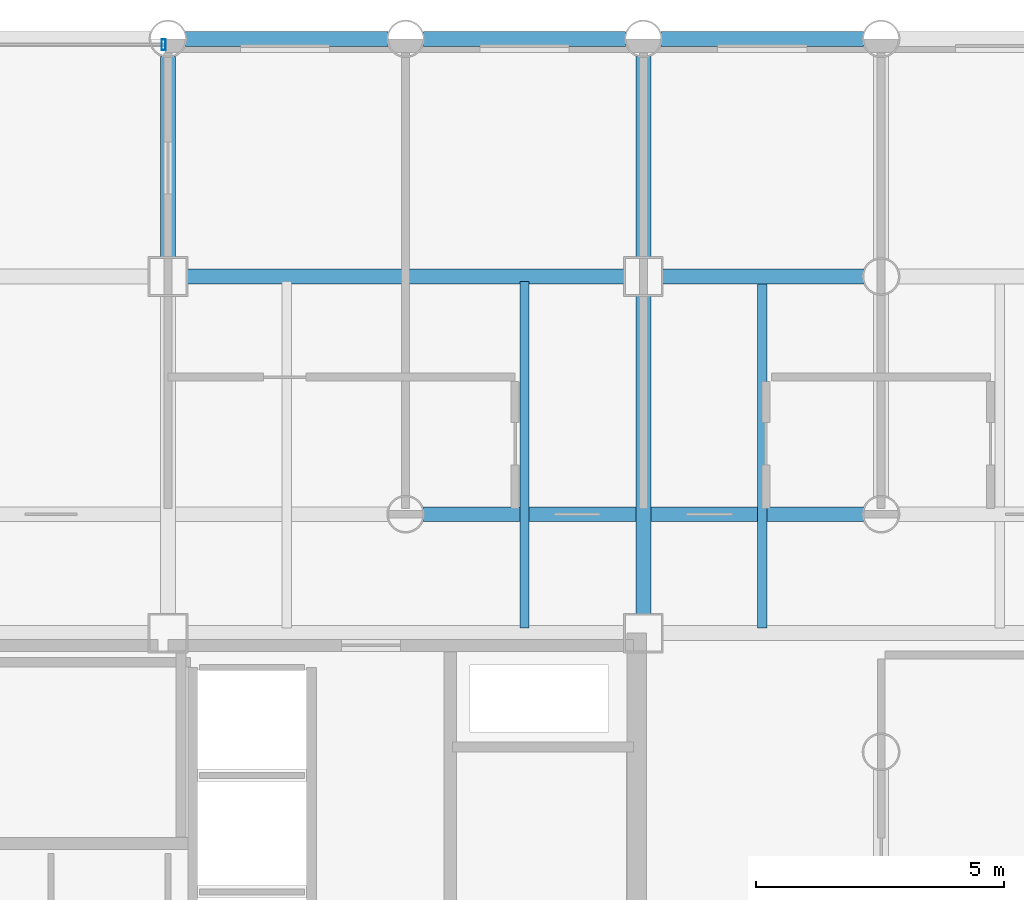
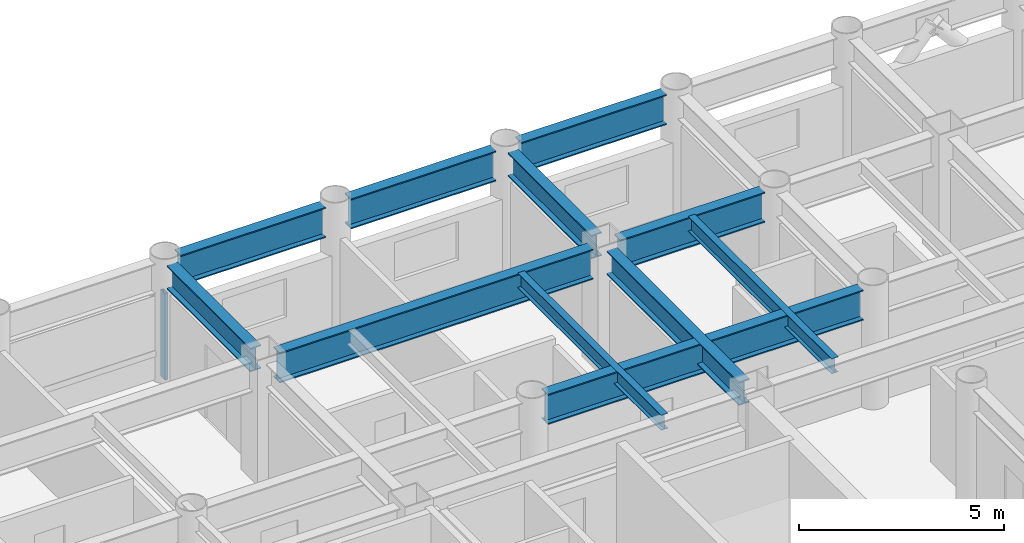
# One storey, part 12 of 20: 11 beams, 1 member, 1 element without a shape of its own.
"""IFC4 building model written with IfcOpenShell, lengths in metres."""

from ifc_helpers import new_model, si_unit, direction, frame, origin, origin_2d, place, context, subcontext, project, spatial, hollow_rectangle, i_section, extrude, material, layer, layer_set, material_profile, profile_set, type_object, element, aggregate, save


model = new_model("IFC4")

# Units and contexts
model_context = context("Model", 3, precision=1e-05, world=origin(), true_north=direction((0.0, 1.0)))
body_context = subcontext(model_context, "Body", "Model", "MODEL_VIEW")
ifc_project = project(units=[si_unit("LENGTHUNIT", "METRE"), si_unit("AREAUNIT", "SQUARE_METRE"), si_unit("VOLUMEUNIT", "CUBIC_METRE"), si_unit("PLANEANGLEUNIT", "RADIAN"), si_unit("MASSUNIT", "GRAM", prefix="KILO")], contexts=[model_context])

# Site, building, storey
site_placement = place(None, origin())
site = spatial("IfcSite", under=ifc_project, at=site_placement, CompositionType="ELEMENT")
building_placement = place(site_placement, origin())
building = spatial("IfcBuilding", under=site, at=building_placement, Name="Kallvorn Hotel Tower", CompositionType="ELEMENT")
storey_placement = place(building_placement, frame((0.0, 0.0, 70.699951171875)))
storey = spatial("IfcBuildingStorey", under=building, at=storey_placement, Name="L16", CompositionType="ELEMENT", Elevation=70.699951171875)

# Beams
ifc_material_1 = material(Name="Structural steel S355JR", Category="steel")
ifc_material_profile_1 = material_profile(ifc_material_1, i_section(OverallWidth=0.300048828125, OverallDepth=0.699951171875, WebThickness=0.01708984375, FlangeThickness=0.031982421875, at=origin_2d()), Name="HE 700 B")
ifc_profile_set_1 = profile_set([ifc_material_profile_1], Name="Structural steel S355JR")
beam_type_1 = type_object("IfcBeamType", Name="BM_HE700B", PredefinedType="BEAM", material=ifc_profile_set_1)
beam_1_placement = place(storey_placement, frame((4.800048828125, 14.77490234375, 3.170166015625), z_axis=(0.0, 1.0, 0.0), x_axis=(-1.0, 0.0, 0.0)))
element("IfcBeam", 1, at=beam_1_placement, inside=storey, type_object=beam_type_1, Name="L17 Primary Y-Girder 117", PredefinedType="BEAM", context=body_context, shape_type="SweptSolid", body=[
    extrude(i_section(OverallWidth=0.300048828125, OverallDepth=0.699951171875, WebThickness=0.01708984375, FlangeThickness=0.031982421875, at=origin_2d()), origin(), (0.0, 0.0, 1.0), 4.069091796875),
])
beam_2_placement = place(storey_placement, frame((14.39990234375, 7.574951171875, 3.170166015625), z_axis=(0.0, 1.0, 0.0), x_axis=(-1.0, 0.0, 0.0)))
element("IfcBeam", 2, at=beam_2_placement, inside=storey, type_object=beam_type_1, Name="L17 Primary Y-Girder 124", PredefinedType="BEAM", context=body_context, shape_type="SweptSolid", body=[
    extrude(i_section(OverallWidth=0.300048828125, OverallDepth=0.699951171875, WebThickness=0.01708984375, FlangeThickness=0.031982421875, at=origin_2d()), origin(), (0.0, 0.0, 1.0), 6.449951171875),
])
beam_3_placement = place(storey_placement, frame((14.39990234375, 14.77490234375, 3.170166015625), z_axis=(0.0, 1.0, 0.0), x_axis=(-1.0, 0.0, 0.0)))
element("IfcBeam", 3, at=beam_3_placement, inside=storey, type_object=beam_type_1, Name="L17 Primary Y-Girder 125", PredefinedType="BEAM", context=body_context, shape_type="SweptSolid", body=[
    extrude(i_section(OverallWidth=0.300048828125, OverallDepth=0.699951171875, WebThickness=0.01708984375, FlangeThickness=0.031982421875, at=origin_2d()), origin(), (0.0, 0.0, 1.0), 4.069091796875),
])
ifc_material_2 = material(Name="Structural steel S355JR", Category="steel")
ifc_material_profile_2 = material_profile(ifc_material_2, i_section(OverallWidth=0.300048828125, OverallDepth=0.89990234375, WebThickness=0.0185546875, FlangeThickness=0.034912109375, at=origin_2d()), Name="HE 900 B")
ifc_profile_set_2 = profile_set([ifc_material_profile_2], Name="Structural steel S355JR")
beam_type_2 = type_object("IfcBeamType", Name="BM_HE900B", PredefinedType="BEAM", material=ifc_profile_set_2)
beam_4_placement = place(storey_placement, frame((9.9560546875, 9.60009765625, 3.070068359375), z_axis=(1.0, 0.0, 0.0), x_axis=(0.0, 1.0, 0.0)))
element("IfcBeam", 4, at=beam_4_placement, inside=storey, type_object=beam_type_2, Name="L17 Primary X-Girder 47", PredefinedType="BEAM", context=body_context, shape_type="SweptSolid", body=[
    extrude(i_section(OverallWidth=0.300048828125, OverallDepth=0.89990234375, WebThickness=0.0185546875, FlangeThickness=0.034912109375, at=origin_2d()), origin(), (0.0, 0.0, 1.0), 8.887939453125),
])
beam_5_placement = place(storey_placement, frame((5.175048828125, 14.39990234375, 3.070068359375), z_axis=(1.0, 0.0, 0.0), x_axis=(0.0, 1.0, 0.0)))
element("IfcBeam", 5, at=beam_5_placement, inside=storey, type_object=beam_type_2, Name="L17 Primary X-Girder 56", PredefinedType="BEAM", context=body_context, shape_type="SweptSolid", body=[
    extrude(i_section(OverallWidth=0.300048828125, OverallDepth=0.89990234375, WebThickness=0.0185546875, FlangeThickness=0.034912109375, at=origin_2d()), origin(), (0.0, 0.0, 1.0), 8.849853515625),
])
beam_6_placement = place(storey_placement, frame((14.77490234375, 14.39990234375, 3.070068359375), z_axis=(1.0, 0.0, 0.0), x_axis=(0.0, 1.0, 0.0)))
element("IfcBeam", 6, at=beam_6_placement, inside=storey, type_object=beam_type_2, Name="L17 Primary X-Girder 57", PredefinedType="BEAM", context=body_context, shape_type="SweptSolid", body=[
    extrude(i_section(OverallWidth=0.300048828125, OverallDepth=0.89990234375, WebThickness=0.0185546875, FlangeThickness=0.034912109375, at=origin_2d()), origin(), (0.0, 0.0, 1.0), 4.069091796875),
])
for number, where, z_axis, x_axis, name in (
    (7, (5.156005859375, 19.199951171875, 3.070068359375), (1.0, 0.0, 0.0), (0.0, 1.0, 0.0), "L17 Primary X-Girder 68"),
    (8, (9.9560546875, 19.199951171875, 3.070068359375), (1.0, 0.0, 0.0), (0.0, 1.0, 0.0), "L17 Primary X-Girder 69"),
    (9, (14.756103515625, 19.199951171875, 3.070068359375), (1.0, 0.0, 0.0), (0.0, 1.0, 0.0), "L17 Primary X-Girder 70"),
):
    element("IfcBeam", number, at=place(storey_placement, frame(where, z_axis=z_axis, x_axis=x_axis)), inside=storey, type_object=beam_type_2, Name=name, PredefinedType="BEAM", context=body_context, shape_type="SweptSolid", body=[
        extrude(i_section(OverallWidth=0.300048828125, OverallDepth=0.89990234375, WebThickness=0.0185546875, FlangeThickness=0.034912109375, at=origin_2d()), origin(), (0.0, 0.0, 1.0), 4.087890625),
    ])
ifc_material_3 = material(Name="Structural steel S355JR", Category="steel")
ifc_material_profile_3 = material_profile(ifc_material_3, i_section(OverallWidth=0.18994140625, OverallDepth=0.449951171875, WebThickness=0.009521484375, FlangeThickness=0.0146484375, at=origin_2d()), Name="IPE 450")
ifc_profile_set_3 = profile_set([ifc_material_profile_3], Name="Structural steel S355JR")
beam_type_3 = type_object("IfcBeamType", Name="BM_IPE450", PredefinedType="JOIST", material=ifc_profile_set_3)
for number, where, z_axis, x_axis, name in (
    (10, (12.0, 7.300048828125, 3.295166015625), (0.0, 1.0, 0.0), (-1.0, 0.0, 0.0), "L17 Secondary Composite Joist 205"),
    (11, (16.800048828125, 7.300048828125, 3.295166015625), (0.0, 1.0, 0.0), (-1.0, 0.0, 0.0), "L17 Secondary Composite Joist 207"),
):
    element("IfcBeam", number, at=place(storey_placement, frame(where, z_axis=z_axis, x_axis=x_axis)), inside=storey, type_object=beam_type_3, Name=name, PredefinedType="JOIST", context=body_context, shape_type="SweptSolid", body=[
        extrude(i_section(OverallWidth=0.18994140625, OverallDepth=0.449951171875, WebThickness=0.009521484375, FlangeThickness=0.0146484375, at=origin_2d()), origin(), (0.0, 0.0, 1.0), 7.0),
    ])

# Curtain wall, member
ifc_material_4 = material(Name="Thermally broken black-anodised aluminium AA 6063-T6", Category="aluminium")
ifc_layer = layer(ifc_material_4, 0.199951171875)
ifc_layer_set = layer_set([ifc_layer], Name="CW_SYS_3_HOTEL_LOW")
curtain_wall_type = type_object("IfcCurtainWallType", Name="CW_SYS_3_HOTEL_LOW", PredefinedType="USERDEFINED", material=ifc_layer_set)
curtain_wall_placement = place(storey_placement, origin())
curtain_wall = element("IfcCurtainWall", 12, at=curtain_wall_placement, inside=storey, type_object=curtain_wall_type, Name="L16 Dark-Glass Curtain Wall CW-L16-NC", ObjectType="UNITISED CURTAIN WALL", PredefinedType="USERDEFINED")
ifc_material_5 = material(Name="Thermally broken black-anodised aluminium AA 6063-T6", Category="aluminium")
ifc_material_profile_4 = material_profile(ifc_material_5, hollow_rectangle(XDim=0.080078125, YDim=0.219970703125, WallThickness=0.0048828125, at=origin_2d()), Name="MUL 220x80")
ifc_profile_set_4 = profile_set([ifc_material_profile_4], Name="Thermally broken black-anodised aluminium AA 6063-T6")
member_type = type_object("IfcMemberType", Name="CW_MULLION_220x80", PredefinedType="MULLION", material=ifc_profile_set_4)
member_placement = place(storey_placement, frame((4.7099609375, 19.080078125, 0.02001953125), z_axis=(0.0, 0.0, 1.0), x_axis=(1.0, 0.0, 0.0)))
member = element("IfcMember", 13, at=member_placement, type_object=member_type, Name="CW-L16-NC Mullion 02", PredefinedType="MULLION", context=body_context, shape_type="SweptSolid", body=[
    extrude(hollow_rectangle(XDim=0.080078125, YDim=0.219970703125, WallThickness=0.0048828125, at=origin_2d()), origin(), (0.0, 0.0, 1.0), 2.580078125),
])
aggregate(curtain_wall, [member])

save(model, "model.ifc")
